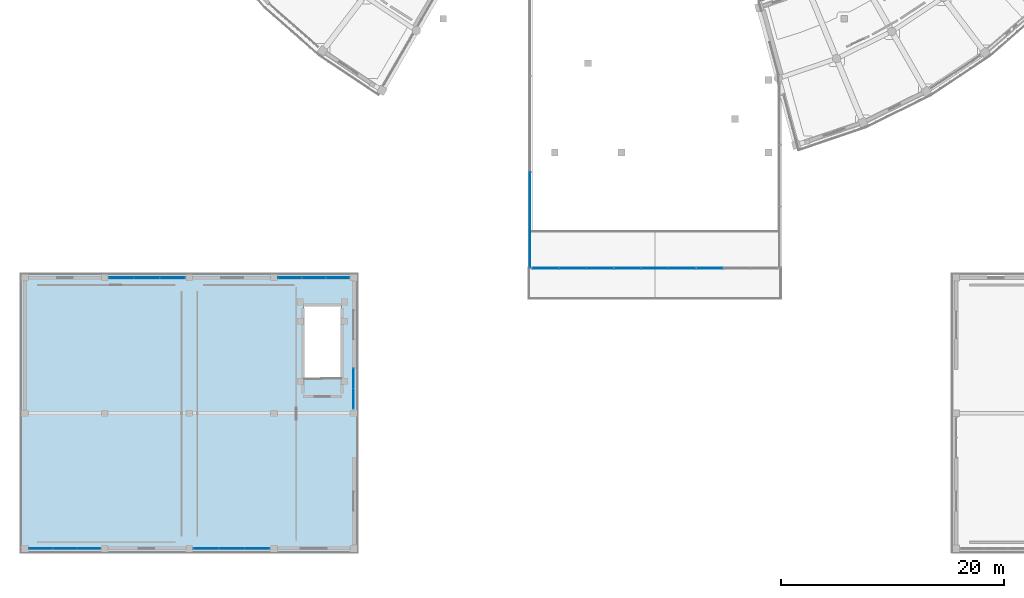
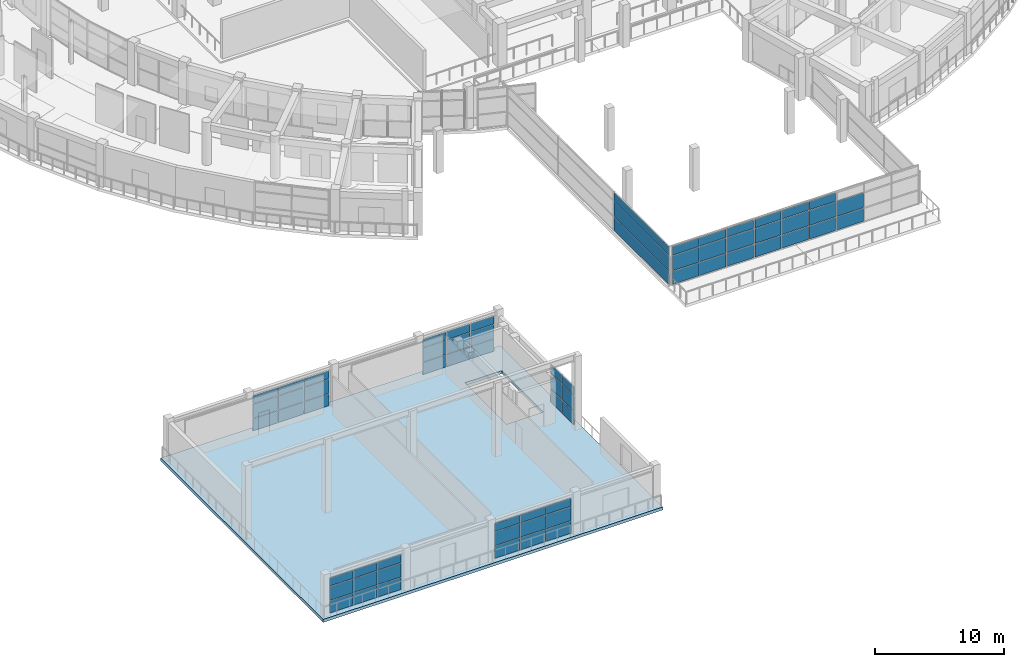
# One storey, part 46 of 87: 65 plates, 1 slab, 9 elements without a shape of their own.
"""IFC4 building model written with IfcOpenShell, lengths in metres."""

import ifcopenshell
import ifcopenshell.guid

model = None  # the IFC model being written
_history = None  # IfcOwnerHistory: only IFC2X3 demands one
_inside = {}  # id of a spatial element -> (the spatial element, [elements in it])
_under = {}  # id of a project, library or spatial element -> (it, [spatial elements below it])
_declared = {}  # id of a project -> (the project, [libraries it declares])
_typed = {}  # id of a type object -> (the type object, [elements of that type])
_made_of = {}  # id of a material, layer set ... -> (it, [elements and type objects made of it])


def new_model(schema):
    """Start an empty IFC model of exactly this schema.

    Asked for "IFC4X3", IfcOpenShell would pick the latest addendum, in which some entities
    have other attributes; the version numbers below select the first issue.
    IFC2X3 requires an IfcOwnerHistory on every rooted entity: one is made here for all.
    """
    global model, _history
    if schema == "IFC4X3":
        model = ifcopenshell.file(schema_version=(4, 3, 0, 0))
    else:
        model = ifcopenshell.file(schema=schema)
    _inside.clear()
    _under.clear()
    _declared.clear()
    _typed.clear()
    _made_of.clear()
    _history = None
    if model.schema == "IFC2X3":
        org = make("IfcOrganization", Name="unknown")
        user = make(
            "IfcPersonAndOrganization",
            ThePerson=make("IfcPerson", FamilyName="unknown"),
            TheOrganization=org,
        )
        app = make(
            "IfcApplication",
            ApplicationDeveloper=org,
            Version="unknown",
            ApplicationFullName="unknown",
            ApplicationIdentifier="unknown",
        )
        _history = make(
            "IfcOwnerHistory",
            OwningUser=user,
            OwningApplication=app,
            ChangeAction="ADDED",
            CreationDate=0,
        )
    return model


def make(cls, **values):
    """One entity of the class cls with the attributes given. An attribute that is None is left unset."""
    return model.create_entity(
        cls, **{name: value for name, value in values.items() if value is not None}
    )


def rooted(cls, **values):
    """An entity with a GlobalId (a new one), such as an element, a storey or a relation."""
    return make(cls, GlobalId=ifcopenshell.guid.new(), OwnerHistory=_history, **values)


def si_unit(unit_type, name, prefix=None):
    """IfcSIUnit, for example si_unit("LENGTHUNIT", "METRE", prefix="MILLI")."""
    return make("IfcSIUnit", UnitType=unit_type, Prefix=prefix, Name=name)


def assignment(units):
    """IfcUnitAssignment: the units of a project."""
    return None if units is None else make("IfcUnitAssignment", Units=units)


def point(xyz):
    """IfcCartesianPoint."""
    return None if xyz is None else make("IfcCartesianPoint", Coordinates=xyz)


def direction(xyz):
    """IfcDirection."""
    return None if xyz is None else make("IfcDirection", DirectionRatios=xyz)


def frame(location, z_axis=None, x_axis=None):
    """IfcAxis2Placement3D, a coordinate frame: its origin and axes. An axis left out is left unset."""
    return make(
        "IfcAxis2Placement3D",
        Location=point(location),
        Axis=direction(z_axis),
        RefDirection=direction(x_axis),
    )


def frame_2d(location, x_axis=None):
    """IfcAxis2Placement2D, a coordinate frame in the plane: its origin and x axis."""
    return make(
        "IfcAxis2Placement2D", Location=point(location), RefDirection=direction(x_axis)
    )


def origin():
    """The frame at (0, 0, 0) with its axes left unset."""
    return frame((0.0, 0.0, 0.0))


def origin_2d():
    """The frame at (0, 0) in the plane with its x axis left unset."""
    return frame_2d((0.0, 0.0))


def place(relative_to, where):
    """IfcLocalPlacement: puts the frame where relative to a parent placement (None: the world)."""
    return make(
        "IfcLocalPlacement", PlacementRelTo=relative_to, RelativePlacement=where
    )


def context(
    kind, dimensions, precision=None, world=None, true_north=None, identifier=None
):
    """IfcGeometricRepresentationContext, for example the 3D "Model" context."""
    return make(
        "IfcGeometricRepresentationContext",
        ContextIdentifier=identifier,
        ContextType=kind,
        CoordinateSpaceDimension=dimensions,
        Precision=precision,
        WorldCoordinateSystem=world,
        TrueNorth=true_north,
    )


def subcontext(parent, identifier, kind, view, scale=None):
    """IfcGeometricRepresentationSubContext, for example "Body" below "Model"."""
    return make(
        "IfcGeometricRepresentationSubContext",
        ContextIdentifier=identifier,
        ContextType=kind,
        ParentContext=parent,
        TargetScale=scale,
        TargetView=view,
    )


def project(units=None, contexts=None):
    """IfcProject with its units and contexts."""
    return rooted(
        "IfcProject",
        Name="project",
        RepresentationContexts=contexts,
        UnitsInContext=assignment(units),
    )


def spatial(cls, under=None, at=None, **own):
    """A site, building, storey or space (cls), placed at a placement, below another one or the project."""
    s = rooted(cls, ObjectPlacement=at, **own)
    if under is not None:
        _under.setdefault(under.id(), (under, []))[1].append(s)
    return s


def polyline(points):
    """IfcPolyline through the points."""
    return make("IfcPolyline", Points=[point(p) for p in points])


def profile(cls, at=None, kind="AREA", **sizes):
    """A parametric profile (cls). Its sizes go by their IFC names, for example OverallWidth=200.0."""
    return make(cls, ProfileType=kind, Position=at, **sizes)


def rectangle(**sizes):
    """IfcRectangleProfileDef."""
    return profile("IfcRectangleProfileDef", **sizes)


def outline(outer, holes=None, kind="AREA"):
    """IfcArbitraryClosedProfileDef: a profile drawn as a closed curve; with holes, ...WithVoids."""
    if holes is None:
        return make("IfcArbitraryClosedProfileDef", ProfileType=kind, OuterCurve=outer)
    return make(
        "IfcArbitraryProfileDefWithVoids",
        ProfileType=kind,
        OuterCurve=outer,
        InnerCurves=holes,
    )


def extrude(swept, where, along, depth):
    """IfcExtrudedAreaSolid: the profile swept, set in the frame where, extruded along a direction by depth."""
    return make(
        "IfcExtrudedAreaSolid",
        SweptArea=swept,
        Position=where,
        ExtrudedDirection=direction(along),
        Depth=depth,
    )


def shape(context_of_items, identifier, shape_type, items):
    """IfcShapeRepresentation: the items that make up one representation, for example the "Body"."""
    return make(
        "IfcShapeRepresentation",
        ContextOfItems=context_of_items,
        RepresentationIdentifier=identifier,
        RepresentationType=shape_type,
        Items=items,
    )


def material(Name=None, Category=None):
    """IfcMaterial."""
    return make("IfcMaterial", Name=Name, Category=Category)


def layer(
    of_material, thickness, ventilated=None, Name=None, Category=None, Priority=None
):
    """IfcMaterialLayer: one layer of a wall or slab, of a material (None: an air gap)."""
    return make(
        "IfcMaterialLayer",
        Material=of_material,
        LayerThickness=thickness,
        IsVentilated=ventilated,
        Name=Name,
        Category=Category,
        Priority=Priority,
    )


def layer_set(layers, Name=None):
    """IfcMaterialLayerSet."""
    return make("IfcMaterialLayerSet", MaterialLayers=layers, LayerSetName=Name)


def made_of(thing, what):
    """Note that an element or type object is made of a material, layer set ...; save() writes the relation."""
    if what is not None:
        _made_of.setdefault(what.id(), (what, []))[1].append(thing)
    return thing


def type_object(cls, material=None, **own):
    """A type object (cls), such as IfcWallType, which elements share."""
    return made_of(rooted(cls, **own), material)


def element(
    cls,
    number,
    at=None,
    inside=None,
    cuts=None,
    type_object=None,
    material=None,
    context=None,
    identifier="Body",
    shape_type=None,
    held_by="IfcProductDefinitionShape",
    body=None,
    shapes=None,
    **own,
):
    """One element of the class cls, such as IfcWall. Its Tag is "e" and its number.

    at: its placement. inside: the storey or other place that contains it. cuts: it is an
    opening in that element (IfcRelVoidsElement). A single representation is given by context,
    identifier, shape_type and body (its items); several are given by shapes. held_by: the class
    of the entity that holds the representations. save() writes the other relations.
    """
    e = rooted(cls, Tag="e%d" % number, ObjectPlacement=at, **own)
    if body is not None:
        shapes = [shape(context, identifier, shape_type, body)]
    if shapes is not None:
        e.Representation = make(held_by, Representations=shapes)
    if inside is not None:
        _inside.setdefault(inside.id(), (inside, []))[1].append(e)
    if cuts is not None:
        rooted(
            "IfcRelVoidsElement", RelatingBuildingElement=cuts, RelatedOpeningElement=e
        )
    if type_object is not None:
        _typed.setdefault(type_object.id(), (type_object, []))[1].append(e)
    return made_of(e, material)


def aggregate(whole, parts):
    """IfcRelAggregates: a whole, such as a stair, and the parts it consists of."""
    return rooted("IfcRelAggregates", RelatingObject=whole, RelatedObjects=parts)


def save(model, path):
    """Write the relations noted so far, then the file.

    IfcRelAggregates (storeys below a building ...), IfcRelContainedInSpatialStructure (elements
    in a storey), IfcRelDefinesByType, IfcRelAssociatesMaterial and IfcRelDeclares: one each for
    every whole, place, type object, material and project.
    """
    for whole, parts in _under.values():
        aggregate(whole, parts)
    for where, things in _inside.values():
        rooted(
            "IfcRelContainedInSpatialStructure",
            RelatedElements=things,
            RelatingStructure=where,
        )
    for kind, things in _typed.values():
        rooted("IfcRelDefinesByType", RelatedObjects=things, RelatingType=kind)
    for what, things in _made_of.values():
        rooted("IfcRelAssociatesMaterial", RelatedObjects=things, RelatingMaterial=what)
    for by, libraries in _declared.values():
        rooted("IfcRelDeclares", RelatingContext=by, RelatedDefinitions=libraries)
    model.write(path)


model = new_model("IFC4")

# Units and contexts
model_context = context("Model", 3, precision=1e-05, world=origin(), true_north=direction((0.0, 1.0)))
body_context = subcontext(model_context, "Body", "Model", "MODEL_VIEW")
ifc_project = project(units=[si_unit("LENGTHUNIT", "METRE"), si_unit("AREAUNIT", "SQUARE_METRE"), si_unit("VOLUMEUNIT", "CUBIC_METRE"), si_unit("PLANEANGLEUNIT", "RADIAN"), si_unit("MASSUNIT", "GRAM", prefix="KILO")], contexts=[model_context])

# Site, building, storey
site_placement = place(None, origin())
site = spatial("IfcSite", under=ifc_project, at=site_placement, CompositionType="ELEMENT")
building_placement = place(site_placement, origin())
building = spatial("IfcBuilding", under=site, at=building_placement, Name="Saryqyr Civic Hall", CompositionType="ELEMENT")
storey_placement = place(building_placement, frame((0.0, 0.0, 5.10009765625)))
storey = spatial("IfcBuildingStorey", under=building, at=storey_placement, Name="L01", CompositionType="ELEMENT", Elevation=5.10009765625)

# Curtain wall, plates
ifc_material_1 = material(Name="Anodised aluminium and triple low-E glass", Category="aluminium")
curtain_wall_type_1 = type_object("IfcCurtainWallType", Name="ENV-CW-STD-61", PredefinedType="NOTDEFINED", material=ifc_material_1)
curtain_wall_1_placement = place(storey_placement, origin())
curtain_wall_1 = element("IfcCurtainWall", 1, at=curtain_wall_1_placement, inside=storey, type_object=curtain_wall_type_1, Name="Curtain wall V7W-CW-L01-0-1", PredefinedType="NOTDEFINED")
ifc_material_2 = material(Name="Triple low-E insulated glazing", Category="glass")
ifc_layer_1 = layer(ifc_material_2, 0.053955078125, Name="Triple low-E insulated glazing")
ifc_layer_set_1 = layer_set([ifc_layer_1], Name="Triple low-E insulated glazing")
plate_type_1 = type_object("IfcPlateType", Name="ENV-CW-PNL-38", PredefinedType="CURTAIN_PANEL", material=ifc_layer_set_1)
plate_1_placement = place(storey_placement, frame((21.291748046875, 0.449951171875, 0.06005859375), z_axis=(0.0, 0.0, 1.0), x_axis=(-1.0, 0.0, 0.0)))
plate_1 = element("IfcPlate", 2, at=plate_1_placement, type_object=plate_type_1, Name="CW-61 panel 1.1", PredefinedType="CURTAIN_PANEL", context=body_context, shape_type="SweptSolid", body=[
    extrude(rectangle(XDim=2.216552734375, YDim=0.053955078125, at=origin_2d()), origin(), (0.0, 0.0, 1.0), 1.135986328125),
])
plate_2_placement = place(storey_placement, frame((21.291748046875, 0.449951171875, 1.255859375), z_axis=(0.0, 0.0, 1.0), x_axis=(-1.0, 0.0, 0.0)))
plate_2 = element("IfcPlate", 3, at=plate_2_placement, type_object=plate_type_1, Name="CW-61 panel 1.2", PredefinedType="CURTAIN_PANEL", context=body_context, shape_type="SweptSolid", body=[
    extrude(rectangle(XDim=2.216552734375, YDim=0.053955078125, at=origin_2d()), origin(), (0.0, 0.0, 1.0), 1.302001953125),
])
plate_3_placement = place(storey_placement, frame((21.291748046875, 0.449951171875, 2.617919921875), z_axis=(0.0, 0.0, 1.0), x_axis=(-1.0, 0.0, 0.0)))
plate_3 = element("IfcPlate", 4, at=plate_3_placement, type_object=plate_type_1, Name="CW-61 panel 1.3", PredefinedType="CURTAIN_PANEL", context=body_context, shape_type="SweptSolid", body=[
    extrude(rectangle(XDim=2.216552734375, YDim=0.053955078125, at=origin_2d()), origin(), (0.0, 0.0, 1.0), 0.72705078125),
])
plate_4_placement = place(storey_placement, frame((19.0, 0.449951171875, 0.06005859375), z_axis=(0.0, 0.0, 1.0), x_axis=(-1.0, 0.0, 0.0)))
plate_4 = element("IfcPlate", 5, at=plate_4_placement, type_object=plate_type_1, Name="CW-61 panel 2.1", PredefinedType="CURTAIN_PANEL", context=body_context, shape_type="SweptSolid", body=[
    extrude(rectangle(XDim=2.24658203125, YDim=0.053955078125, at=origin_2d()), origin(), (0.0, 0.0, 1.0), 1.135986328125),
])
plate_5_placement = place(storey_placement, frame((19.0, 0.449951171875, 1.255859375), z_axis=(0.0, 0.0, 1.0), x_axis=(-1.0, 0.0, 0.0)))
plate_5 = element("IfcPlate", 6, at=plate_5_placement, type_object=plate_type_1, Name="CW-61 panel 2.2", PredefinedType="CURTAIN_PANEL", context=body_context, shape_type="SweptSolid", body=[
    extrude(rectangle(XDim=2.24658203125, YDim=0.053955078125, at=origin_2d()), origin(), (0.0, 0.0, 1.0), 1.302001953125),
])
plate_6_placement = place(storey_placement, frame((19.0, 0.449951171875, 2.617919921875), z_axis=(0.0, 0.0, 1.0), x_axis=(-1.0, 0.0, 0.0)))
plate_6 = element("IfcPlate", 7, at=plate_6_placement, type_object=plate_type_1, Name="CW-61 panel 2.3", PredefinedType="CURTAIN_PANEL", context=body_context, shape_type="SweptSolid", body=[
    extrude(rectangle(XDim=2.24658203125, YDim=0.053955078125, at=origin_2d()), origin(), (0.0, 0.0, 1.0), 0.72705078125),
])
plate_7_placement = place(storey_placement, frame((16.708251953125, 0.449951171875, 0.06005859375), z_axis=(0.0, 0.0, 1.0), x_axis=(-1.0, 0.0, 0.0)))
plate_7 = element("IfcPlate", 8, at=plate_7_placement, type_object=plate_type_1, Name="CW-61 panel 3.1", PredefinedType="CURTAIN_PANEL", context=body_context, shape_type="SweptSolid", body=[
    extrude(rectangle(XDim=2.216552734375, YDim=0.053955078125, at=origin_2d()), origin(), (0.0, 0.0, 1.0), 1.135986328125),
])
plate_8_placement = place(storey_placement, frame((16.708251953125, 0.449951171875, 1.255859375), z_axis=(0.0, 0.0, 1.0), x_axis=(-1.0, 0.0, 0.0)))
plate_8 = element("IfcPlate", 9, at=plate_8_placement, type_object=plate_type_1, Name="CW-61 panel 3.2", PredefinedType="CURTAIN_PANEL", context=body_context, shape_type="SweptSolid", body=[
    extrude(rectangle(XDim=2.216552734375, YDim=0.053955078125, at=origin_2d()), origin(), (0.0, 0.0, 1.0), 1.302001953125),
])
plate_9_placement = place(storey_placement, frame((16.708251953125, 0.449951171875, 2.617919921875), z_axis=(0.0, 0.0, 1.0), x_axis=(-1.0, 0.0, 0.0)))
plate_9 = element("IfcPlate", 10, at=plate_9_placement, type_object=plate_type_1, Name="CW-61 panel 3.3", PredefinedType="CURTAIN_PANEL", context=body_context, shape_type="SweptSolid", body=[
    extrude(rectangle(XDim=2.216552734375, YDim=0.053955078125, at=origin_2d()), origin(), (0.0, 0.0, 1.0), 0.72705078125),
])
aggregate(curtain_wall_1, [plate_1, plate_2, plate_3, plate_4, plate_5, plate_6, plate_7, plate_8, plate_9])

curtain_wall_type_2 = type_object("IfcCurtainWallType", Name="ENV-CW-STD-62", PredefinedType="NOTDEFINED", material=ifc_material_1)
curtain_wall_2_placement = place(storey_placement, origin())
curtain_wall_2 = element("IfcCurtainWall", 11, at=curtain_wall_2_placement, inside=storey, type_object=curtain_wall_type_2, Name="Curtain wall V7W-CW-L01-0-3", PredefinedType="NOTDEFINED")
plate_10_placement = place(storey_placement, frame((6.166748046875, 0.449951171875, 0.06005859375), z_axis=(0.0, 0.0, 1.0), x_axis=(-1.0, 0.0, 0.0)))
plate_10 = element("IfcPlate", 12, at=plate_10_placement, type_object=plate_type_1, Name="CW-62 panel 1.1", PredefinedType="CURTAIN_PANEL", context=body_context, shape_type="SweptSolid", body=[
    extrude(rectangle(XDim=2.066650390625, YDim=0.053955078125, at=origin_2d()), origin(), (0.0, 0.0, 1.0), 1.135986328125),
])
plate_11_placement = place(storey_placement, frame((6.166748046875, 0.449951171875, 1.255859375), z_axis=(0.0, 0.0, 1.0), x_axis=(-1.0, 0.0, 0.0)))
plate_11 = element("IfcPlate", 13, at=plate_11_placement, type_object=plate_type_1, Name="CW-62 panel 1.2", PredefinedType="CURTAIN_PANEL", context=body_context, shape_type="SweptSolid", body=[
    extrude(rectangle(XDim=2.066650390625, YDim=0.053955078125, at=origin_2d()), origin(), (0.0, 0.0, 1.0), 1.302001953125),
])
plate_12_placement = place(storey_placement, frame((6.166748046875, 0.449951171875, 2.617919921875), z_axis=(0.0, 0.0, 1.0), x_axis=(-1.0, 0.0, 0.0)))
plate_12 = element("IfcPlate", 14, at=plate_12_placement, type_object=plate_type_1, Name="CW-62 panel 1.3", PredefinedType="CURTAIN_PANEL", context=body_context, shape_type="SweptSolid", body=[
    extrude(rectangle(XDim=2.066650390625, YDim=0.053955078125, at=origin_2d()), origin(), (0.0, 0.0, 1.0), 0.72705078125),
])
plate_13_placement = place(storey_placement, frame((4.02490234375, 0.449951171875, 0.06005859375), z_axis=(0.0, 0.0, 1.0), x_axis=(-1.0, 0.0, 0.0)))
plate_13 = element("IfcPlate", 15, at=plate_13_placement, type_object=plate_type_1, Name="CW-62 panel 2.1", PredefinedType="CURTAIN_PANEL", context=body_context, shape_type="SweptSolid", body=[
    extrude(rectangle(XDim=2.0966796875, YDim=0.053955078125, at=origin_2d()), origin(), (0.0, 0.0, 1.0), 1.135986328125),
])
plate_14_placement = place(storey_placement, frame((4.02490234375, 0.449951171875, 1.255859375), z_axis=(0.0, 0.0, 1.0), x_axis=(-1.0, 0.0, 0.0)))
plate_14 = element("IfcPlate", 16, at=plate_14_placement, type_object=plate_type_1, Name="CW-62 panel 2.2", PredefinedType="CURTAIN_PANEL", context=body_context, shape_type="SweptSolid", body=[
    extrude(rectangle(XDim=2.0966796875, YDim=0.053955078125, at=origin_2d()), origin(), (0.0, 0.0, 1.0), 1.302001953125),
])
plate_15_placement = place(storey_placement, frame((4.02490234375, 0.449951171875, 2.617919921875), z_axis=(0.0, 0.0, 1.0), x_axis=(-1.0, 0.0, 0.0)))
plate_15 = element("IfcPlate", 17, at=plate_15_placement, type_object=plate_type_1, Name="CW-62 panel 2.3", PredefinedType="CURTAIN_PANEL", context=body_context, shape_type="SweptSolid", body=[
    extrude(rectangle(XDim=2.0966796875, YDim=0.053955078125, at=origin_2d()), origin(), (0.0, 0.0, 1.0), 0.72705078125),
])
plate_16_placement = place(storey_placement, frame((1.88330078125, 0.449951171875, 0.06005859375), z_axis=(0.0, 0.0, 1.0), x_axis=(-1.0, 0.0, 0.0)))
plate_16 = element("IfcPlate", 18, at=plate_16_placement, type_object=plate_type_1, Name="CW-62 panel 3.1", PredefinedType="CURTAIN_PANEL", context=body_context, shape_type="SweptSolid", body=[
    extrude(rectangle(XDim=2.066650390625, YDim=0.053955078125, at=origin_2d()), origin(), (0.0, 0.0, 1.0), 1.135986328125),
])
plate_17_placement = place(storey_placement, frame((1.88330078125, 0.449951171875, 1.255859375), z_axis=(0.0, 0.0, 1.0), x_axis=(-1.0, 0.0, 0.0)))
plate_17 = element("IfcPlate", 19, at=plate_17_placement, type_object=plate_type_1, Name="CW-62 panel 3.2", PredefinedType="CURTAIN_PANEL", context=body_context, shape_type="SweptSolid", body=[
    extrude(rectangle(XDim=2.066650390625, YDim=0.053955078125, at=origin_2d()), origin(), (0.0, 0.0, 1.0), 1.302001953125),
])
plate_18_placement = place(storey_placement, frame((1.88330078125, 0.449951171875, 2.617919921875), z_axis=(0.0, 0.0, 1.0), x_axis=(-1.0, 0.0, 0.0)))
plate_18 = element("IfcPlate", 20, at=plate_18_placement, type_object=plate_type_1, Name="CW-62 panel 3.3", PredefinedType="CURTAIN_PANEL", context=body_context, shape_type="SweptSolid", body=[
    extrude(rectangle(XDim=2.066650390625, YDim=0.053955078125, at=origin_2d()), origin(), (0.0, 0.0, 1.0), 0.72705078125),
])
aggregate(curtain_wall_2, [plate_10, plate_11, plate_12, plate_13, plate_14, plate_15, plate_16, plate_17, plate_18])

curtain_wall_type_3 = type_object("IfcCurtainWallType", Name="ENV-CW-STD-45", PredefinedType="NOTDEFINED", material=ifc_material_1)
curtain_wall_3_placement = place(storey_placement, origin())
curtain_wall_3 = element("IfcCurtainWall", 21, at=curtain_wall_3_placement, inside=storey, type_object=curtain_wall_type_3, Name="Curtain wall V7W-CW-L01-1-1", PredefinedType="NOTDEFINED")
plate_19_placement = place(storey_placement, frame((29.949951171875, 15.70751953125, 0.06005859375), z_axis=(0.0, 0.0, 1.0), x_axis=(0.0, -1.0, 0.0)))
plate_19 = element("IfcPlate", 22, at=plate_19_placement, type_object=plate_type_1, Name="CW-45 panel 1.1", PredefinedType="CURTAIN_PANEL", context=body_context, shape_type="SweptSolid", body=[
    extrude(rectangle(XDim=1.764892578125, YDim=0.053955078125, at=origin_2d()), origin(), (0.0, 0.0, 1.0), 1.241943359375),
])
plate_20_placement = place(storey_placement, frame((29.949951171875, 15.70751953125, 1.362060546875), z_axis=(0.0, 0.0, 1.0), x_axis=(0.0, -1.0, 0.0)))
plate_20 = element("IfcPlate", 23, at=plate_20_placement, type_object=plate_type_1, Name="CW-45 panel 1.2", PredefinedType="CURTAIN_PANEL", context=body_context, shape_type="SweptSolid", body=[
    extrude(rectangle(XDim=1.764892578125, YDim=0.053955078125, at=origin_2d()), origin(), (0.0, 0.0, 1.0), 1.419921875),
])
plate_21_placement = place(storey_placement, frame((29.949951171875, 15.70751953125, 2.841796875), z_axis=(0.0, 0.0, 1.0), x_axis=(0.0, -1.0, 0.0)))
plate_21 = element("IfcPlate", 24, at=plate_21_placement, type_object=plate_type_1, Name="CW-45 panel 1.3", PredefinedType="CURTAIN_PANEL", context=body_context, shape_type="SweptSolid", body=[
    extrude(rectangle(XDim=1.764892578125, YDim=0.053955078125, at=origin_2d()), origin(), (0.0, 0.0, 1.0), 0.798095703125),
])
plate_22_placement = place(storey_placement, frame((29.949951171875, 13.882568359375, 0.06005859375), z_axis=(0.0, 0.0, 1.0), x_axis=(0.0, -1.0, 0.0)))
plate_22 = element("IfcPlate", 25, at=plate_22_placement, type_object=plate_type_1, Name="CW-45 panel 2.1", PredefinedType="CURTAIN_PANEL", context=body_context, shape_type="SweptSolid", body=[
    extrude(rectangle(XDim=1.764892578125, YDim=0.053955078125, at=origin_2d()), origin(), (0.0, 0.0, 1.0), 1.241943359375),
])
plate_23_placement = place(storey_placement, frame((29.949951171875, 13.882568359375, 1.362060546875), z_axis=(0.0, 0.0, 1.0), x_axis=(0.0, -1.0, 0.0)))
plate_23 = element("IfcPlate", 26, at=plate_23_placement, type_object=plate_type_1, Name="CW-45 panel 2.2", PredefinedType="CURTAIN_PANEL", context=body_context, shape_type="SweptSolid", body=[
    extrude(rectangle(XDim=1.764892578125, YDim=0.053955078125, at=origin_2d()), origin(), (0.0, 0.0, 1.0), 1.419921875),
])
plate_24_placement = place(storey_placement, frame((29.949951171875, 13.882568359375, 2.841796875), z_axis=(0.0, 0.0, 1.0), x_axis=(0.0, -1.0, 0.0)))
plate_24 = element("IfcPlate", 27, at=plate_24_placement, type_object=plate_type_1, Name="CW-45 panel 2.3", PredefinedType="CURTAIN_PANEL", context=body_context, shape_type="SweptSolid", body=[
    extrude(rectangle(XDim=1.764892578125, YDim=0.053955078125, at=origin_2d()), origin(), (0.0, 0.0, 1.0), 0.798095703125),
])
aggregate(curtain_wall_3, [plate_19, plate_20, plate_21, plate_22, plate_23, plate_24])

curtain_wall_4_placement = place(storey_placement, origin())
curtain_wall_4 = element("IfcCurtainWall", 28, at=curtain_wall_4_placement, inside=storey, type_object=curtain_wall_type_1, Name="Curtain wall V7W-CW-L01-2-1", PredefinedType="NOTDEFINED")
plate_25_placement = place(storey_placement, frame((9.1083984375, 24.75, 0.06005859375), z_axis=(0.0, 0.0, 1.0), x_axis=(1.0, 0.0, 0.0)))
plate_25 = element("IfcPlate", 29, at=plate_25_placement, type_object=plate_type_1, Name="CW-61 panel 1.1", PredefinedType="CURTAIN_PANEL", context=body_context, shape_type="SweptSolid", body=[
    extrude(rectangle(XDim=2.216552734375, YDim=0.053955078125, at=origin_2d()), origin(), (0.0, 0.0, 1.0), 1.135986328125),
])
plate_26_placement = place(storey_placement, frame((9.1083984375, 24.75, 1.255859375), z_axis=(0.0, 0.0, 1.0), x_axis=(1.0, 0.0, 0.0)))
plate_26 = element("IfcPlate", 30, at=plate_26_placement, type_object=plate_type_1, Name="CW-61 panel 1.2", PredefinedType="CURTAIN_PANEL", context=body_context, shape_type="SweptSolid", body=[
    extrude(rectangle(XDim=2.216552734375, YDim=0.053955078125, at=origin_2d()), origin(), (0.0, 0.0, 1.0), 1.302001953125),
])
plate_27_placement = place(storey_placement, frame((9.1083984375, 24.75, 2.617919921875), z_axis=(0.0, 0.0, 1.0), x_axis=(1.0, 0.0, 0.0)))
plate_27 = element("IfcPlate", 31, at=plate_27_placement, type_object=plate_type_1, Name="CW-61 panel 1.3", PredefinedType="CURTAIN_PANEL", context=body_context, shape_type="SweptSolid", body=[
    extrude(rectangle(XDim=2.216552734375, YDim=0.053955078125, at=origin_2d()), origin(), (0.0, 0.0, 1.0), 0.72705078125),
])
plate_28_placement = place(storey_placement, frame((11.39990234375, 24.75, 0.06005859375), z_axis=(0.0, 0.0, 1.0), x_axis=(1.0, 0.0, 0.0)))
plate_28 = element("IfcPlate", 32, at=plate_28_placement, type_object=plate_type_1, Name="CW-61 panel 2.1", PredefinedType="CURTAIN_PANEL", context=body_context, shape_type="SweptSolid", body=[
    extrude(rectangle(XDim=2.24658203125, YDim=0.053955078125, at=origin_2d()), origin(), (0.0, 0.0, 1.0), 1.135986328125),
])
plate_29_placement = place(storey_placement, frame((11.39990234375, 24.75, 1.255859375), z_axis=(0.0, 0.0, 1.0), x_axis=(1.0, 0.0, 0.0)))
plate_29 = element("IfcPlate", 33, at=plate_29_placement, type_object=plate_type_1, Name="CW-61 panel 2.2", PredefinedType="CURTAIN_PANEL", context=body_context, shape_type="SweptSolid", body=[
    extrude(rectangle(XDim=2.24658203125, YDim=0.053955078125, at=origin_2d()), origin(), (0.0, 0.0, 1.0), 1.302001953125),
])
plate_30_placement = place(storey_placement, frame((11.39990234375, 24.75, 2.617919921875), z_axis=(0.0, 0.0, 1.0), x_axis=(1.0, 0.0, 0.0)))
plate_30 = element("IfcPlate", 34, at=plate_30_placement, type_object=plate_type_1, Name="CW-61 panel 2.3", PredefinedType="CURTAIN_PANEL", context=body_context, shape_type="SweptSolid", body=[
    extrude(rectangle(XDim=2.24658203125, YDim=0.053955078125, at=origin_2d()), origin(), (0.0, 0.0, 1.0), 0.72705078125),
])
plate_31_placement = place(storey_placement, frame((13.691650390625, 24.75, 0.06005859375), z_axis=(0.0, 0.0, 1.0), x_axis=(1.0, 0.0, 0.0)))
plate_31 = element("IfcPlate", 35, at=plate_31_placement, type_object=plate_type_1, Name="CW-61 panel 3.1", PredefinedType="CURTAIN_PANEL", context=body_context, shape_type="SweptSolid", body=[
    extrude(rectangle(XDim=2.216552734375, YDim=0.053955078125, at=origin_2d()), origin(), (0.0, 0.0, 1.0), 1.135986328125),
])
plate_32_placement = place(storey_placement, frame((13.691650390625, 24.75, 1.255859375), z_axis=(0.0, 0.0, 1.0), x_axis=(1.0, 0.0, 0.0)))
plate_32 = element("IfcPlate", 36, at=plate_32_placement, type_object=plate_type_1, Name="CW-61 panel 3.2", PredefinedType="CURTAIN_PANEL", context=body_context, shape_type="SweptSolid", body=[
    extrude(rectangle(XDim=2.216552734375, YDim=0.053955078125, at=origin_2d()), origin(), (0.0, 0.0, 1.0), 1.302001953125),
])
plate_33_placement = place(storey_placement, frame((13.691650390625, 24.75, 2.617919921875), z_axis=(0.0, 0.0, 1.0), x_axis=(1.0, 0.0, 0.0)))
plate_33 = element("IfcPlate", 37, at=plate_33_placement, type_object=plate_type_1, Name="CW-61 panel 3.3", PredefinedType="CURTAIN_PANEL", context=body_context, shape_type="SweptSolid", body=[
    extrude(rectangle(XDim=2.216552734375, YDim=0.053955078125, at=origin_2d()), origin(), (0.0, 0.0, 1.0), 0.72705078125),
])
aggregate(curtain_wall_4, [plate_25, plate_26, plate_27, plate_28, plate_29, plate_30, plate_31, plate_32, plate_33])

curtain_wall_5_placement = place(storey_placement, origin())
curtain_wall_5 = element("IfcCurtainWall", 38, at=curtain_wall_5_placement, inside=storey, type_object=curtain_wall_type_2, Name="Curtain wall V7W-CW-L01-2-3", PredefinedType="NOTDEFINED")
plate_34_placement = place(storey_placement, frame((24.2333984375, 24.75, 0.06005859375), z_axis=(0.0, 0.0, 1.0), x_axis=(1.0, 0.0, 0.0)))
plate_34 = element("IfcPlate", 39, at=plate_34_placement, type_object=plate_type_1, Name="CW-62 panel 1.1", PredefinedType="CURTAIN_PANEL", context=body_context, shape_type="SweptSolid", body=[
    extrude(rectangle(XDim=2.066650390625, YDim=0.053955078125, at=origin_2d()), origin(), (0.0, 0.0, 1.0), 1.135986328125),
])
plate_35_placement = place(storey_placement, frame((24.2333984375, 24.75, 1.255859375), z_axis=(0.0, 0.0, 1.0), x_axis=(1.0, 0.0, 0.0)))
plate_35 = element("IfcPlate", 40, at=plate_35_placement, type_object=plate_type_1, Name="CW-62 panel 1.2", PredefinedType="CURTAIN_PANEL", context=body_context, shape_type="SweptSolid", body=[
    extrude(rectangle(XDim=2.066650390625, YDim=0.053955078125, at=origin_2d()), origin(), (0.0, 0.0, 1.0), 1.302001953125),
])
plate_36_placement = place(storey_placement, frame((24.2333984375, 24.75, 2.617919921875), z_axis=(0.0, 0.0, 1.0), x_axis=(1.0, 0.0, 0.0)))
plate_36 = element("IfcPlate", 41, at=plate_36_placement, type_object=plate_type_1, Name="CW-62 panel 1.3", PredefinedType="CURTAIN_PANEL", context=body_context, shape_type="SweptSolid", body=[
    extrude(rectangle(XDim=2.066650390625, YDim=0.053955078125, at=origin_2d()), origin(), (0.0, 0.0, 1.0), 0.72705078125),
])
plate_37_placement = place(storey_placement, frame((26.375, 24.75, 0.06005859375), z_axis=(0.0, 0.0, 1.0), x_axis=(1.0, 0.0, 0.0)))
plate_37 = element("IfcPlate", 42, at=plate_37_placement, type_object=plate_type_1, Name="CW-62 panel 2.1", PredefinedType="CURTAIN_PANEL", context=body_context, shape_type="SweptSolid", body=[
    extrude(rectangle(XDim=2.0966796875, YDim=0.053955078125, at=origin_2d()), origin(), (0.0, 0.0, 1.0), 1.135986328125),
])
plate_38_placement = place(storey_placement, frame((26.375, 24.75, 1.255859375), z_axis=(0.0, 0.0, 1.0), x_axis=(1.0, 0.0, 0.0)))
plate_38 = element("IfcPlate", 43, at=plate_38_placement, type_object=plate_type_1, Name="CW-62 panel 2.2", PredefinedType="CURTAIN_PANEL", context=body_context, shape_type="SweptSolid", body=[
    extrude(rectangle(XDim=2.0966796875, YDim=0.053955078125, at=origin_2d()), origin(), (0.0, 0.0, 1.0), 1.302001953125),
])
plate_39_placement = place(storey_placement, frame((26.375, 24.75, 2.617919921875), z_axis=(0.0, 0.0, 1.0), x_axis=(1.0, 0.0, 0.0)))
plate_39 = element("IfcPlate", 44, at=plate_39_placement, type_object=plate_type_1, Name="CW-62 panel 2.3", PredefinedType="CURTAIN_PANEL", context=body_context, shape_type="SweptSolid", body=[
    extrude(rectangle(XDim=2.0966796875, YDim=0.053955078125, at=origin_2d()), origin(), (0.0, 0.0, 1.0), 0.72705078125),
])
plate_40_placement = place(storey_placement, frame((28.5166015625, 24.75, 0.06005859375), z_axis=(0.0, 0.0, 1.0), x_axis=(1.0, 0.0, 0.0)))
plate_40 = element("IfcPlate", 45, at=plate_40_placement, type_object=plate_type_1, Name="CW-62 panel 3.1", PredefinedType="CURTAIN_PANEL", context=body_context, shape_type="SweptSolid", body=[
    extrude(rectangle(XDim=2.066650390625, YDim=0.053955078125, at=origin_2d()), origin(), (0.0, 0.0, 1.0), 1.135986328125),
])
plate_41_placement = place(storey_placement, frame((28.5166015625, 24.75, 1.255859375), z_axis=(0.0, 0.0, 1.0), x_axis=(1.0, 0.0, 0.0)))
plate_41 = element("IfcPlate", 46, at=plate_41_placement, type_object=plate_type_1, Name="CW-62 panel 3.2", PredefinedType="CURTAIN_PANEL", context=body_context, shape_type="SweptSolid", body=[
    extrude(rectangle(XDim=2.066650390625, YDim=0.053955078125, at=origin_2d()), origin(), (0.0, 0.0, 1.0), 1.302001953125),
])
plate_42_placement = place(storey_placement, frame((28.5166015625, 24.75, 2.617919921875), z_axis=(0.0, 0.0, 1.0), x_axis=(1.0, 0.0, 0.0)))
plate_42 = element("IfcPlate", 47, at=plate_42_placement, type_object=plate_type_1, Name="CW-62 panel 3.3", PredefinedType="CURTAIN_PANEL", context=body_context, shape_type="SweptSolid", body=[
    extrude(rectangle(XDim=2.066650390625, YDim=0.053955078125, at=origin_2d()), origin(), (0.0, 0.0, 1.0), 0.72705078125),
])
aggregate(curtain_wall_5, [plate_34, plate_35, plate_36, plate_37, plate_38, plate_39, plate_40, plate_41, plate_42])

curtain_wall_type_4 = type_object("IfcCurtainWallType", Name="ENV-CW-STD-70", PredefinedType="NOTDEFINED", material=ifc_material_1)
curtain_wall_6_placement = place(storey_placement, origin())
curtain_wall_6 = element("IfcCurtainWall", 48, at=curtain_wall_6_placement, inside=storey, type_object=curtain_wall_type_4, Name="Curtain wall V2-VESTFLK-SW-L01", PredefinedType="NOTDEFINED")
plate_43_placement = place(storey_placement, frame((45.800048828125, 29.93994140625, 0.06005859375), z_axis=(0.0, 0.0, 1.0), x_axis=(0.0, 1.0, 0.0)))
plate_43 = element("IfcPlate", 49, at=plate_43_placement, type_object=plate_type_1, Name="CW-70 panel 1.1", PredefinedType="CURTAIN_PANEL", context=body_context, shape_type="SweptSolid", body=[
    extrude(rectangle(XDim=8.5400390625, YDim=0.053955078125, at=origin_2d()), origin(), (0.0, 0.0, 1.0), 1.241943359375),
])
plate_44_placement = place(storey_placement, frame((45.800048828125, 29.93994140625, 1.362060546875), z_axis=(0.0, 0.0, 1.0), x_axis=(0.0, 1.0, 0.0)))
plate_44 = element("IfcPlate", 50, at=plate_44_placement, type_object=plate_type_1, Name="CW-70 panel 1.2", PredefinedType="CURTAIN_PANEL", context=body_context, shape_type="SweptSolid", body=[
    extrude(rectangle(XDim=8.5400390625, YDim=0.053955078125, at=origin_2d()), origin(), (0.0, 0.0, 1.0), 1.419921875),
])
plate_45_placement = place(storey_placement, frame((45.800048828125, 29.93994140625, 2.841796875), z_axis=(0.0, 0.0, 1.0), x_axis=(0.0, 1.0, 0.0)))
plate_45 = element("IfcPlate", 51, at=plate_45_placement, type_object=plate_type_1, Name="CW-70 panel 1.3", PredefinedType="CURTAIN_PANEL", context=body_context, shape_type="SweptSolid", body=[
    extrude(rectangle(XDim=8.5400390625, YDim=0.053955078125, at=origin_2d()), origin(), (0.0, 0.0, 1.0), 0.798095703125),
])
aggregate(curtain_wall_6, [plate_43, plate_44, plate_45])

curtain_wall_type_5 = type_object("IfcCurtainWallType", Name="ENV-CW-HVY-69", PredefinedType="NOTDEFINED", material=ifc_material_1)
curtain_wall_7_placement = place(storey_placement, origin())
curtain_wall_7 = element("IfcCurtainWall", 52, at=curtain_wall_7_placement, inside=storey, type_object=curtain_wall_type_5, Name="Curtain wall V2-PORTAL-CW-S-L01-0", PredefinedType="NOTDEFINED")
ifc_material_3 = material(Name="Acoustic laminated low-E glazing", Category="glass")
ifc_layer_2 = layer(ifc_material_3, 0.072021484375, Name="Acoustic laminated low-E glazing")
ifc_layer_set_2 = layer_set([ifc_layer_2], Name="Acoustic laminated low-E glazing")
plate_type_2 = type_object("IfcPlateType", Name="ENV-CW-PNL-52", PredefinedType="CURTAIN_PANEL", material=ifc_layer_set_2)
plate_46_placement = place(storey_placement, frame((52.071533203125, 25.610107421875, 0.06982421875), z_axis=(0.0, 0.0, 1.0), x_axis=(-1.0, 0.0, 0.0)))
plate_46 = element("IfcPlate", 53, at=plate_46_placement, type_object=plate_type_2, Name="CW-69 panel 1.1", PredefinedType="CURTAIN_PANEL", context=body_context, shape_type="SweptSolid", body=[
    extrude(rectangle(XDim=2.3505859375, YDim=0.072021484375, at=origin_2d()), origin(), (0.0, 0.0, 1.0), 1.22705078125),
])
plate_47_placement = place(storey_placement, frame((52.071533203125, 25.610107421875, 1.3671875), z_axis=(0.0, 0.0, 1.0), x_axis=(-1.0, 0.0, 0.0)))
plate_47 = element("IfcPlate", 54, at=plate_47_placement, type_object=plate_type_2, Name="CW-69 panel 1.2", PredefinedType="CURTAIN_PANEL", context=body_context, shape_type="SweptSolid", body=[
    extrude(rectangle(XDim=2.3505859375, YDim=0.072021484375, at=origin_2d()), origin(), (0.0, 0.0, 1.0), 1.409912109375),
])
plate_48_placement = place(storey_placement, frame((52.071533203125, 25.610107421875, 2.8466796875), z_axis=(0.0, 0.0, 1.0), x_axis=(-1.0, 0.0, 0.0)))
plate_48 = element("IfcPlate", 55, at=plate_48_placement, type_object=plate_type_2, Name="CW-69 panel 1.3", PredefinedType="CURTAIN_PANEL", context=body_context, shape_type="SweptSolid", body=[
    extrude(rectangle(XDim=2.3505859375, YDim=0.072021484375, at=origin_2d()), origin(), (0.0, 0.0, 1.0), 0.782958984375),
])
plate_49_placement = place(storey_placement, frame((49.63330078125, 25.610107421875, 0.06982421875), z_axis=(0.0, 0.0, 1.0), x_axis=(-1.0, 0.0, 0.0)))
plate_49 = element("IfcPlate", 56, at=plate_49_placement, type_object=plate_type_2, Name="CW-69 panel 2.1", PredefinedType="CURTAIN_PANEL", context=body_context, shape_type="SweptSolid", body=[
    extrude(rectangle(XDim=2.385498046875, YDim=0.072021484375, at=origin_2d()), origin(), (0.0, 0.0, 1.0), 1.22705078125),
])
plate_50_placement = place(storey_placement, frame((49.63330078125, 25.610107421875, 1.3671875), z_axis=(0.0, 0.0, 1.0), x_axis=(-1.0, 0.0, 0.0)))
plate_50 = element("IfcPlate", 57, at=plate_50_placement, type_object=plate_type_2, Name="CW-69 panel 2.2", PredefinedType="CURTAIN_PANEL", context=body_context, shape_type="SweptSolid", body=[
    extrude(rectangle(XDim=2.385498046875, YDim=0.072021484375, at=origin_2d()), origin(), (0.0, 0.0, 1.0), 1.409912109375),
])
plate_51_placement = place(storey_placement, frame((49.63330078125, 25.610107421875, 2.8466796875), z_axis=(0.0, 0.0, 1.0), x_axis=(-1.0, 0.0, 0.0)))
plate_51 = element("IfcPlate", 58, at=plate_51_placement, type_object=plate_type_2, Name="CW-69 panel 2.3", PredefinedType="CURTAIN_PANEL", context=body_context, shape_type="SweptSolid", body=[
    extrude(rectangle(XDim=2.385498046875, YDim=0.072021484375, at=origin_2d()), origin(), (0.0, 0.0, 1.0), 0.782958984375),
])
plate_52_placement = place(storey_placement, frame((47.1953125, 25.610107421875, 0.06982421875), z_axis=(0.0, 0.0, 1.0), x_axis=(-1.0, 0.0, 0.0)))
plate_52 = element("IfcPlate", 59, at=plate_52_placement, type_object=plate_type_2, Name="CW-69 panel 3.1", PredefinedType="CURTAIN_PANEL", context=body_context, shape_type="SweptSolid", body=[
    extrude(rectangle(XDim=2.3505859375, YDim=0.072021484375, at=origin_2d()), origin(), (0.0, 0.0, 1.0), 1.22705078125),
])
plate_53_placement = place(storey_placement, frame((47.1953125, 25.610107421875, 1.3671875), z_axis=(0.0, 0.0, 1.0), x_axis=(-1.0, 0.0, 0.0)))
plate_53 = element("IfcPlate", 60, at=plate_53_placement, type_object=plate_type_2, Name="CW-69 panel 3.2", PredefinedType="CURTAIN_PANEL", context=body_context, shape_type="SweptSolid", body=[
    extrude(rectangle(XDim=2.3505859375, YDim=0.072021484375, at=origin_2d()), origin(), (0.0, 0.0, 1.0), 1.409912109375),
])
plate_54_placement = place(storey_placement, frame((47.1953125, 25.610107421875, 2.8466796875), z_axis=(0.0, 0.0, 1.0), x_axis=(-1.0, 0.0, 0.0)))
plate_54 = element("IfcPlate", 61, at=plate_54_placement, type_object=plate_type_2, Name="CW-69 panel 3.3", PredefinedType="CURTAIN_PANEL", context=body_context, shape_type="SweptSolid", body=[
    extrude(rectangle(XDim=2.3505859375, YDim=0.072021484375, at=origin_2d()), origin(), (0.0, 0.0, 1.0), 0.782958984375),
])
aggregate(curtain_wall_7, [plate_46, plate_47, plate_48, plate_49, plate_50, plate_51, plate_52, plate_53, plate_54])

curtain_wall_8_placement = place(storey_placement, origin())
curtain_wall_8 = element("IfcCurtainWall", 62, at=curtain_wall_8_placement, inside=storey, type_object=curtain_wall_type_5, Name="Curtain wall V2-PORTAL-CW-S-L01-1", PredefinedType="NOTDEFINED")
plate_55_placement = place(storey_placement, frame((59.43798828125, 25.610107421875, 0.06982421875), z_axis=(0.0, 0.0, 1.0), x_axis=(-1.0, 0.0, 0.0)))
plate_55 = element("IfcPlate", 63, at=plate_55_placement, type_object=plate_type_2, Name="CW-69 panel 1.1", PredefinedType="CURTAIN_PANEL", context=body_context, shape_type="SweptSolid", body=[
    extrude(rectangle(XDim=2.3505859375, YDim=0.072021484375, at=origin_2d()), origin(), (0.0, 0.0, 1.0), 1.22705078125),
])
plate_56_placement = place(storey_placement, frame((59.43798828125, 25.610107421875, 1.3671875), z_axis=(0.0, 0.0, 1.0), x_axis=(-1.0, 0.0, 0.0)))
plate_56 = element("IfcPlate", 64, at=plate_56_placement, type_object=plate_type_2, Name="CW-69 panel 1.2", PredefinedType="CURTAIN_PANEL", context=body_context, shape_type="SweptSolid", body=[
    extrude(rectangle(XDim=2.3505859375, YDim=0.072021484375, at=origin_2d()), origin(), (0.0, 0.0, 1.0), 1.409912109375),
])
plate_57_placement = place(storey_placement, frame((59.43798828125, 25.610107421875, 2.8466796875), z_axis=(0.0, 0.0, 1.0), x_axis=(-1.0, 0.0, 0.0)))
plate_57 = element("IfcPlate", 65, at=plate_57_placement, type_object=plate_type_2, Name="CW-69 panel 1.3", PredefinedType="CURTAIN_PANEL", context=body_context, shape_type="SweptSolid", body=[
    extrude(rectangle(XDim=2.3505859375, YDim=0.072021484375, at=origin_2d()), origin(), (0.0, 0.0, 1.0), 0.782958984375),
])
plate_58_placement = place(storey_placement, frame((57.0, 25.610107421875, 0.06982421875), z_axis=(0.0, 0.0, 1.0), x_axis=(-1.0, 0.0, 0.0)))
plate_58 = element("IfcPlate", 66, at=plate_58_placement, type_object=plate_type_2, Name="CW-69 panel 2.1", PredefinedType="CURTAIN_PANEL", context=body_context, shape_type="SweptSolid", body=[
    extrude(rectangle(XDim=2.385498046875, YDim=0.072021484375, at=origin_2d()), origin(), (0.0, 0.0, 1.0), 1.22705078125),
])
plate_59_placement = place(storey_placement, frame((57.0, 25.610107421875, 1.3671875), z_axis=(0.0, 0.0, 1.0), x_axis=(-1.0, 0.0, 0.0)))
plate_59 = element("IfcPlate", 67, at=plate_59_placement, type_object=plate_type_2, Name="CW-69 panel 2.2", PredefinedType="CURTAIN_PANEL", context=body_context, shape_type="SweptSolid", body=[
    extrude(rectangle(XDim=2.385498046875, YDim=0.072021484375, at=origin_2d()), origin(), (0.0, 0.0, 1.0), 1.409912109375),
])
plate_60_placement = place(storey_placement, frame((57.0, 25.610107421875, 2.8466796875), z_axis=(0.0, 0.0, 1.0), x_axis=(-1.0, 0.0, 0.0)))
plate_60 = element("IfcPlate", 68, at=plate_60_placement, type_object=plate_type_2, Name="CW-69 panel 2.3", PredefinedType="CURTAIN_PANEL", context=body_context, shape_type="SweptSolid", body=[
    extrude(rectangle(XDim=2.385498046875, YDim=0.072021484375, at=origin_2d()), origin(), (0.0, 0.0, 1.0), 0.782958984375),
])
plate_61_placement = place(storey_placement, frame((54.56201171875, 25.610107421875, 0.06982421875), z_axis=(0.0, 0.0, 1.0), x_axis=(-1.0, 0.0, 0.0)))
plate_61 = element("IfcPlate", 69, at=plate_61_placement, type_object=plate_type_2, Name="CW-69 panel 3.1", PredefinedType="CURTAIN_PANEL", context=body_context, shape_type="SweptSolid", body=[
    extrude(rectangle(XDim=2.3505859375, YDim=0.072021484375, at=origin_2d()), origin(), (0.0, 0.0, 1.0), 1.22705078125),
])
plate_62_placement = place(storey_placement, frame((54.56201171875, 25.610107421875, 1.3671875), z_axis=(0.0, 0.0, 1.0), x_axis=(-1.0, 0.0, 0.0)))
plate_62 = element("IfcPlate", 70, at=plate_62_placement, type_object=plate_type_2, Name="CW-69 panel 3.2", PredefinedType="CURTAIN_PANEL", context=body_context, shape_type="SweptSolid", body=[
    extrude(rectangle(XDim=2.3505859375, YDim=0.072021484375, at=origin_2d()), origin(), (0.0, 0.0, 1.0), 1.409912109375),
])
plate_63_placement = place(storey_placement, frame((54.56201171875, 25.610107421875, 2.8466796875), z_axis=(0.0, 0.0, 1.0), x_axis=(-1.0, 0.0, 0.0)))
plate_63 = element("IfcPlate", 71, at=plate_63_placement, type_object=plate_type_2, Name="CW-69 panel 3.3", PredefinedType="CURTAIN_PANEL", context=body_context, shape_type="SweptSolid", body=[
    extrude(rectangle(XDim=2.3505859375, YDim=0.072021484375, at=origin_2d()), origin(), (0.0, 0.0, 1.0), 0.782958984375),
])
aggregate(curtain_wall_8, [plate_55, plate_56, plate_57, plate_58, plate_59, plate_60, plate_61, plate_62, plate_63])

curtain_wall_9_placement = place(storey_placement, origin())
curtain_wall_9 = element("IfcCurtainWall", 72, at=curtain_wall_9_placement, inside=storey, type_object=curtain_wall_type_5, Name="Curtain wall V2-PORTAL-CW-S-L01-2", PredefinedType="NOTDEFINED")
plate_64_placement = place(storey_placement, frame((61.928466796875, 25.610107421875, 0.06982421875), z_axis=(0.0, 0.0, 1.0), x_axis=(-1.0, 0.0, 0.0)))
plate_64 = element("IfcPlate", 73, at=plate_64_placement, type_object=plate_type_2, Name="CW-69 panel 3.1", PredefinedType="CURTAIN_PANEL", context=body_context, shape_type="SweptSolid", body=[
    extrude(rectangle(XDim=2.3505859375, YDim=0.072021484375, at=origin_2d()), origin(), (0.0, 0.0, 1.0), 1.22705078125),
])
plate_65_placement = place(storey_placement, frame((61.928466796875, 25.610107421875, 1.3671875), z_axis=(0.0, 0.0, 1.0), x_axis=(-1.0, 0.0, 0.0)))
plate_65 = element("IfcPlate", 74, at=plate_65_placement, type_object=plate_type_2, Name="CW-69 panel 3.2", PredefinedType="CURTAIN_PANEL", context=body_context, shape_type="SweptSolid", body=[
    extrude(rectangle(XDim=2.3505859375, YDim=0.072021484375, at=origin_2d()), origin(), (0.0, 0.0, 1.0), 1.409912109375),
])
aggregate(curtain_wall_9, [plate_64, plate_65])

# Slab
ifc_material_4 = material(Name="Concrete C35/45", Category="concrete")
ifc_layer_3 = layer(ifc_material_4, 0.280029296875, Name="Concrete C35/45")
ifc_layer_set_3 = layer_set([ifc_layer_3], Name="Concrete C35/45")
slab_type = type_object("IfcSlabType", Name="STR-SLB-FLR-280", PredefinedType="FLOOR", material=ifc_layer_set_3)
slab_placement = place(storey_placement, frame((0.0, 0.0, -0.280029296875)))
element("IfcSlab", 75, at=slab_placement, inside=storey, type_object=slab_type, Name="Slab SLB-V7W-L01", PredefinedType="FLOOR", context=body_context, shape_type="SweptSolid", body=[
    extrude(outline(polyline([(0.0, 25.199951171875), (30.39990234375, 25.199951171875), (30.39990234375, 0.0), (0.0, 0.0), (0.0, 25.199951171875)]), holes=[polyline([(28.800048828125, 22.199951171875), (25.5, 22.199951171875), (25.5, 15.75), (28.800048828125, 15.75), (28.800048828125, 22.199951171875)])]), origin(), (0.0, 0.0, 1.0), 0.280029296875),
])

save(model, "model.ifc")
